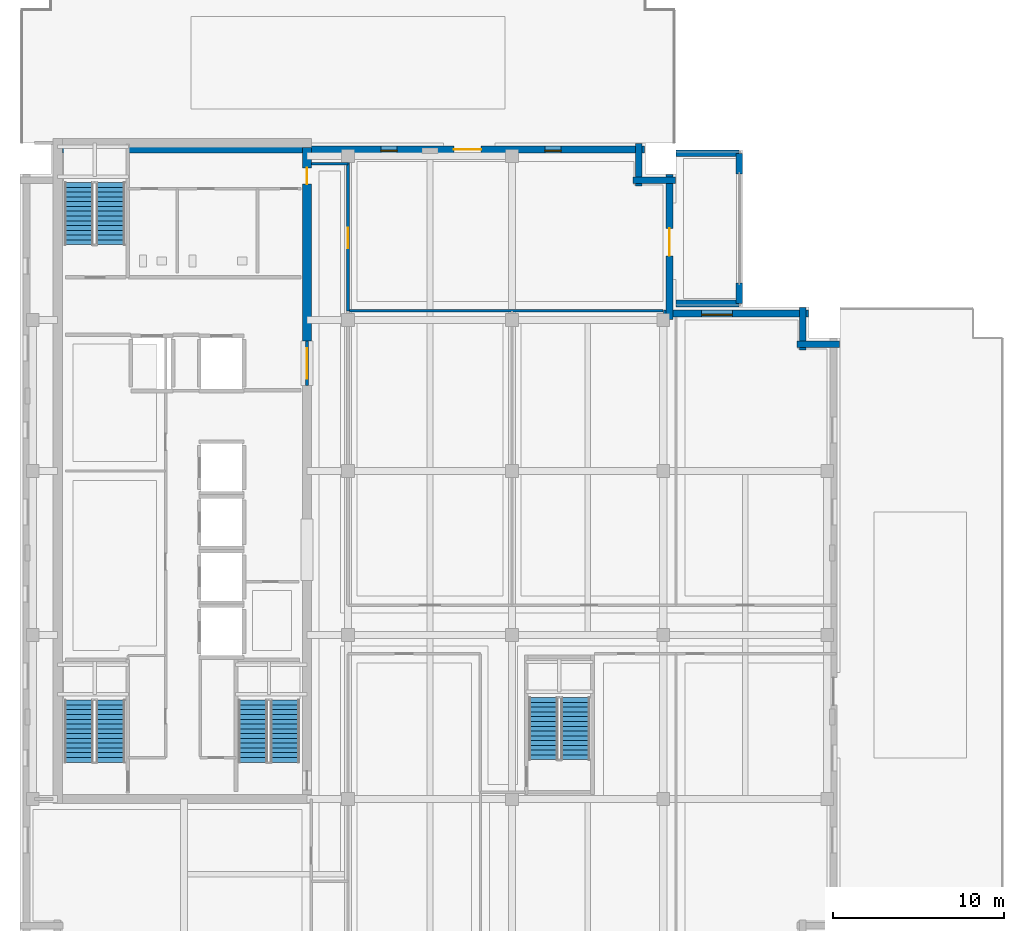
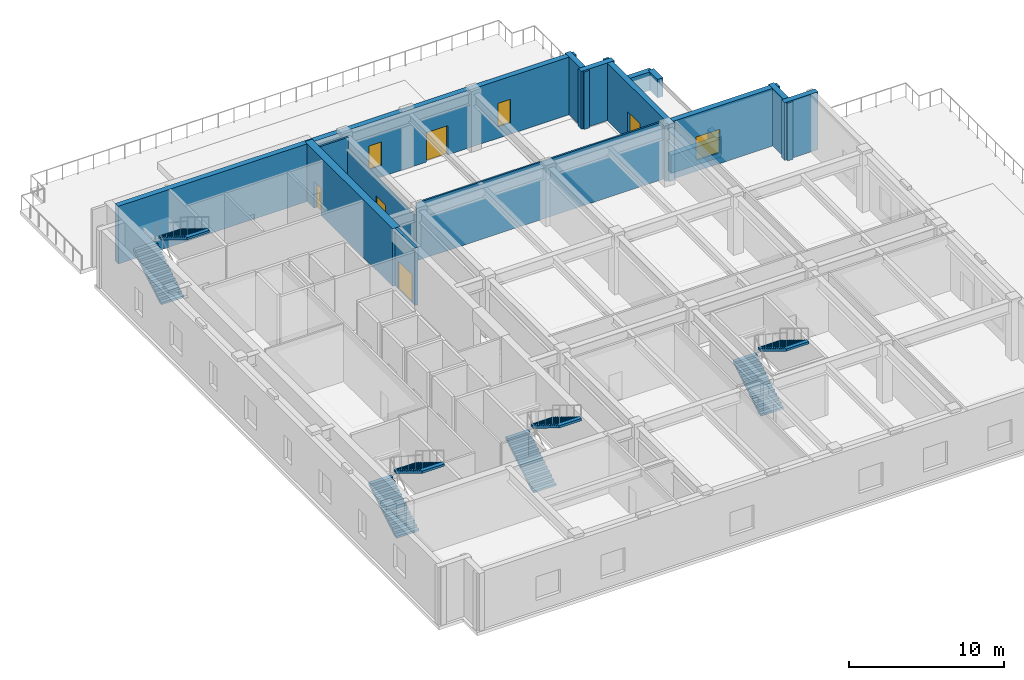
# One storey, part 6 of 11: 16 walls, 8 stair flights, 5 doors, 3 windows, 8 openings, 4 elements without a shape of their own.
"""IFC4 building model written with IfcOpenShell, lengths in metres."""

import ifcopenshell
import ifcopenshell.guid

model = None  # the IFC model being written
_history = None  # IfcOwnerHistory: only IFC2X3 demands one
_inside = {}  # id of a spatial element -> (the spatial element, [elements in it])
_under = {}  # id of a project, library or spatial element -> (it, [spatial elements below it])
_declared = {}  # id of a project -> (the project, [libraries it declares])
_typed = {}  # id of a type object -> (the type object, [elements of that type])
_made_of = {}  # id of a material, layer set ... -> (it, [elements and type objects made of it])


def new_model(schema):
    """Start an empty IFC model of exactly this schema.

    Asked for "IFC4X3", IfcOpenShell would pick the latest addendum, in which some entities
    have other attributes; the version numbers below select the first issue.
    IFC2X3 requires an IfcOwnerHistory on every rooted entity: one is made here for all.
    """
    global model, _history
    if schema == "IFC4X3":
        model = ifcopenshell.file(schema_version=(4, 3, 0, 0))
    else:
        model = ifcopenshell.file(schema=schema)
    _inside.clear()
    _under.clear()
    _declared.clear()
    _typed.clear()
    _made_of.clear()
    _history = None
    if model.schema == "IFC2X3":
        org = make("IfcOrganization", Name="unknown")
        user = make(
            "IfcPersonAndOrganization",
            ThePerson=make("IfcPerson", FamilyName="unknown"),
            TheOrganization=org,
        )
        app = make(
            "IfcApplication",
            ApplicationDeveloper=org,
            Version="unknown",
            ApplicationFullName="unknown",
            ApplicationIdentifier="unknown",
        )
        _history = make(
            "IfcOwnerHistory",
            OwningUser=user,
            OwningApplication=app,
            ChangeAction="ADDED",
            CreationDate=0,
        )
    return model


def make(cls, **values):
    """One entity of the class cls with the attributes given. An attribute that is None is left unset."""
    return model.create_entity(
        cls, **{name: value for name, value in values.items() if value is not None}
    )


def rooted(cls, **values):
    """An entity with a GlobalId (a new one), such as an element, a storey or a relation."""
    return make(cls, GlobalId=ifcopenshell.guid.new(), OwnerHistory=_history, **values)


def si_unit(unit_type, name, prefix=None):
    """IfcSIUnit, for example si_unit("LENGTHUNIT", "METRE", prefix="MILLI")."""
    return make("IfcSIUnit", UnitType=unit_type, Prefix=prefix, Name=name)


def assignment(units):
    """IfcUnitAssignment: the units of a project."""
    return None if units is None else make("IfcUnitAssignment", Units=units)


def point(xyz):
    """IfcCartesianPoint."""
    return None if xyz is None else make("IfcCartesianPoint", Coordinates=xyz)


def direction(xyz):
    """IfcDirection."""
    return None if xyz is None else make("IfcDirection", DirectionRatios=xyz)


def frame(location, z_axis=None, x_axis=None):
    """IfcAxis2Placement3D, a coordinate frame: its origin and axes. An axis left out is left unset."""
    return make(
        "IfcAxis2Placement3D",
        Location=point(location),
        Axis=direction(z_axis),
        RefDirection=direction(x_axis),
    )


def frame_2d(location, x_axis=None):
    """IfcAxis2Placement2D, a coordinate frame in the plane: its origin and x axis."""
    return make(
        "IfcAxis2Placement2D", Location=point(location), RefDirection=direction(x_axis)
    )


def origin():
    """The frame at (0, 0, 0) with its axes left unset."""
    return frame((0.0, 0.0, 0.0))


def place(relative_to, where):
    """IfcLocalPlacement: puts the frame where relative to a parent placement (None: the world)."""
    return make(
        "IfcLocalPlacement", PlacementRelTo=relative_to, RelativePlacement=where
    )


def context(
    kind, dimensions, precision=None, world=None, true_north=None, identifier=None
):
    """IfcGeometricRepresentationContext, for example the 3D "Model" context."""
    return make(
        "IfcGeometricRepresentationContext",
        ContextIdentifier=identifier,
        ContextType=kind,
        CoordinateSpaceDimension=dimensions,
        Precision=precision,
        WorldCoordinateSystem=world,
        TrueNorth=true_north,
    )


def subcontext(parent, identifier, kind, view, scale=None):
    """IfcGeometricRepresentationSubContext, for example "Body" below "Model"."""
    return make(
        "IfcGeometricRepresentationSubContext",
        ContextIdentifier=identifier,
        ContextType=kind,
        ParentContext=parent,
        TargetScale=scale,
        TargetView=view,
    )


def project(units=None, contexts=None):
    """IfcProject with its units and contexts."""
    return rooted(
        "IfcProject",
        Name="project",
        RepresentationContexts=contexts,
        UnitsInContext=assignment(units),
    )


def spatial(cls, under=None, at=None, **own):
    """A site, building, storey or space (cls), placed at a placement, below another one or the project."""
    s = rooted(cls, ObjectPlacement=at, **own)
    if under is not None:
        _under.setdefault(under.id(), (under, []))[1].append(s)
    return s


def polyline(points):
    """IfcPolyline through the points."""
    return make("IfcPolyline", Points=[point(p) for p in points])


def profile(cls, at=None, kind="AREA", **sizes):
    """A parametric profile (cls). Its sizes go by their IFC names, for example OverallWidth=200.0."""
    return make(cls, ProfileType=kind, Position=at, **sizes)


def rectangle(**sizes):
    """IfcRectangleProfileDef."""
    return profile("IfcRectangleProfileDef", **sizes)


def outline(outer, holes=None, kind="AREA"):
    """IfcArbitraryClosedProfileDef: a profile drawn as a closed curve; with holes, ...WithVoids."""
    if holes is None:
        return make("IfcArbitraryClosedProfileDef", ProfileType=kind, OuterCurve=outer)
    return make(
        "IfcArbitraryProfileDefWithVoids",
        ProfileType=kind,
        OuterCurve=outer,
        InnerCurves=holes,
    )


def extrude(swept, where, along, depth):
    """IfcExtrudedAreaSolid: the profile swept, set in the frame where, extruded along a direction by depth."""
    return make(
        "IfcExtrudedAreaSolid",
        SweptArea=swept,
        Position=where,
        ExtrudedDirection=direction(along),
        Depth=depth,
    )


def shape(context_of_items, identifier, shape_type, items):
    """IfcShapeRepresentation: the items that make up one representation, for example the "Body"."""
    return make(
        "IfcShapeRepresentation",
        ContextOfItems=context_of_items,
        RepresentationIdentifier=identifier,
        RepresentationType=shape_type,
        Items=items,
    )


def material(Name=None, Category=None):
    """IfcMaterial."""
    return make("IfcMaterial", Name=Name, Category=Category)


def layer(
    of_material, thickness, ventilated=None, Name=None, Category=None, Priority=None
):
    """IfcMaterialLayer: one layer of a wall or slab, of a material (None: an air gap)."""
    return make(
        "IfcMaterialLayer",
        Material=of_material,
        LayerThickness=thickness,
        IsVentilated=ventilated,
        Name=Name,
        Category=Category,
        Priority=Priority,
    )


def layer_set(layers, Name=None):
    """IfcMaterialLayerSet."""
    return make("IfcMaterialLayerSet", MaterialLayers=layers, LayerSetName=Name)


def made_of(thing, what):
    """Note that an element or type object is made of a material, layer set ...; save() writes the relation."""
    if what is not None:
        _made_of.setdefault(what.id(), (what, []))[1].append(thing)
    return thing


def type_object(cls, material=None, **own):
    """A type object (cls), such as IfcWallType, which elements share."""
    return made_of(rooted(cls, **own), material)


def element(
    cls,
    number,
    at=None,
    inside=None,
    cuts=None,
    type_object=None,
    material=None,
    context=None,
    identifier="Body",
    shape_type=None,
    held_by="IfcProductDefinitionShape",
    body=None,
    shapes=None,
    **own,
):
    """One element of the class cls, such as IfcWall. Its Tag is "e" and its number.

    at: its placement. inside: the storey or other place that contains it. cuts: it is an
    opening in that element (IfcRelVoidsElement). A single representation is given by context,
    identifier, shape_type and body (its items); several are given by shapes. held_by: the class
    of the entity that holds the representations. save() writes the other relations.
    """
    e = rooted(cls, Tag="e%d" % number, ObjectPlacement=at, **own)
    if body is not None:
        shapes = [shape(context, identifier, shape_type, body)]
    if shapes is not None:
        e.Representation = make(held_by, Representations=shapes)
    if inside is not None:
        _inside.setdefault(inside.id(), (inside, []))[1].append(e)
    if cuts is not None:
        rooted(
            "IfcRelVoidsElement", RelatingBuildingElement=cuts, RelatedOpeningElement=e
        )
    if type_object is not None:
        _typed.setdefault(type_object.id(), (type_object, []))[1].append(e)
    return made_of(e, material)


def fill(opening, filler):
    """IfcRelFillsElement: the door or window that sits in an opening."""
    return rooted(
        "IfcRelFillsElement",
        RelatingOpeningElement=opening,
        RelatedBuildingElement=filler,
    )


def aggregate(whole, parts):
    """IfcRelAggregates: a whole, such as a stair, and the parts it consists of."""
    return rooted("IfcRelAggregates", RelatingObject=whole, RelatedObjects=parts)


def save(model, path):
    """Write the relations noted so far, then the file.

    IfcRelAggregates (storeys below a building ...), IfcRelContainedInSpatialStructure (elements
    in a storey), IfcRelDefinesByType, IfcRelAssociatesMaterial and IfcRelDeclares: one each for
    every whole, place, type object, material and project.
    """
    for whole, parts in _under.values():
        aggregate(whole, parts)
    for where, things in _inside.values():
        rooted(
            "IfcRelContainedInSpatialStructure",
            RelatedElements=things,
            RelatingStructure=where,
        )
    for kind, things in _typed.values():
        rooted("IfcRelDefinesByType", RelatedObjects=things, RelatingType=kind)
    for what, things in _made_of.values():
        rooted("IfcRelAssociatesMaterial", RelatedObjects=things, RelatingMaterial=what)
    for by, libraries in _declared.values():
        rooted("IfcRelDeclares", RelatingContext=by, RelatedDefinitions=libraries)
    model.write(path)


model = new_model("IFC4")

# Units and contexts
model_context = context("Model", 3, precision=1e-05, world=origin(), true_north=direction((0.0, 1.0)))
body_context = subcontext(model_context, "Body", "Model", "MODEL_VIEW")
ifc_project = project(units=[si_unit("LENGTHUNIT", "METRE"), si_unit("AREAUNIT", "SQUARE_METRE"), si_unit("VOLUMEUNIT", "CUBIC_METRE"), si_unit("PLANEANGLEUNIT", "RADIAN"), si_unit("MASSUNIT", "GRAM", prefix="KILO")], contexts=[model_context])

# Site, building, storey
site_placement = place(None, origin())
site = spatial("IfcSite", under=ifc_project, at=site_placement, CompositionType="ELEMENT")
building_placement = place(site_placement, origin())
building = spatial("IfcBuilding", under=site, at=building_placement, Name="Norrvale University Quadrangle", CompositionType="ELEMENT")
storey_placement = place(building_placement, frame((0.0, 0.0, 261.0)))
storey = spatial("IfcBuildingStorey", under=building, at=storey_placement, Name="L66", CompositionType="ELEMENT", Elevation=261.0)

# Wall, opening, door
ifc_material_1 = material(Name="Concrete C60/75", Category="concrete")
ifc_layer_1 = layer(ifc_material_1, 0.550048828125, Name="Concrete C60/75")
ifc_layer_set_1 = layer_set([ifc_layer_1], Name="Concrete C60/75")
wall_type_1 = type_object("IfcWallType", Name="Wall Core 550", PredefinedType="SHEAR", material=ifc_layer_set_1)
wall_1_placement = place(storey_placement, frame((16.800048828125, 36.39990234375, 0.0), z_axis=(0.0, 0.0, 1.0), x_axis=(0.0, 1.0, 0.0)))
wall_1 = element("IfcWall", 1, at=wall_1_placement, inside=storey, type_object=wall_type_1, Name="Tower Core Shear Wall L66-E3", PredefinedType="SHEAR", context=body_context, shape_type="SweptSolid", body=[
    extrude(rectangle(XDim=11.3251953125, YDim=0.550048828125, at=frame_2d((5.66259765625, 0.0))), origin(), (0.0, 0.0, 1.0), 4.5400390625),
])
opening_1_placement = place(wall_1_placement, frame((9.199951171875, 0.0, 0.0)))
opening_1 = element("IfcOpeningElement", 2, at=opening_1_placement, cuts=wall_1, Name="Opening D07", PredefinedType="OPENING", context=body_context, shape_type="SweptSolid", body=[
    extrude(rectangle(XDim=0.949951171875, YDim=2.14990234375, at=frame_2d((0.47509765625, 1.074951171875))), frame((0.0, 0.287109375, 0.0), z_axis=(0.0, -1.0, 0.0), x_axis=(1.0, 0.0, 0.0)), (0.0, 0.0, 1.0), 0.573974609375),
])
ifc_material_2 = material(Name="Solid-Core Maple Door", Category="wood")
door_type_1 = type_object("IfcDoorType", Name="Door Office 950x2150", OperationType="NOTDEFINED", PredefinedType="DOOR", material=ifc_material_2)
door_1_placement = place(opening_1_placement, origin())
door_1 = element("IfcDoor", 3, at=door_1_placement, inside=storey, type_object=door_type_1, Name="Door Office 950x2150 DR-L66-NECORR", OperationType="SINGLE_SWING_LEFT", OverallHeight=2.14990234375, OverallWidth=0.949951171875, PredefinedType="DOOR", context=body_context, shape_type="SweptSolid", body=[
    extrude(rectangle(XDim=0.949951171875, YDim=2.14990234375, at=frame_2d((0.47509765625, 1.074951171875))), frame((0.0, 0.02490234375, 0.0), z_axis=(0.0, -1.0, 0.0), x_axis=(1.0, 0.0, 0.0)), (0.0, 0.0, 1.0), 0.050048828125),
])
fill(opening_1, door_1)

# Walls
ifc_material_3 = material(Name="Standard Academic Gypsum Partition")
ifc_layer_2 = layer(ifc_material_3, 0.125, Name="Standard Academic Gypsum Partition")
ifc_layer_set_2 = layer_set([ifc_layer_2], Name="Standard Academic Gypsum Partition")
wall_type_2 = type_object("IfcWallType", Name="Wall Gypsum Academic 125", PredefinedType="PARTITIONING", material=ifc_layer_set_2)
wall_2_placement = place(storey_placement, frame((19.280029296875, 38.179931640625, 0.0), z_axis=(0.0, 0.0, 1.0), x_axis=(1.0, 0.0, 0.0)))
element("IfcWall", 4, at=wall_2_placement, inside=storey, type_object=wall_type_2, Name="Interior Partition WL-L66-ME-N", PredefinedType="PARTITIONING", context=body_context, shape_type="SweptSolid", body=[
    extrude(rectangle(XDim=18.369873046875, YDim=0.125, at=frame_2d((9.18505859375, 0.0))), origin(), (0.0, 0.0, 1.0), 4.5400390625),
])
ifc_material_4 = material(Name="Fire-Rated Gypsum Stud Partition")
ifc_layer_3 = layer(ifc_material_4, 0.14990234375, Name="Fire-Rated Gypsum Stud Partition")
ifc_layer_set_3 = layer_set([ifc_layer_3], Name="Fire-Rated Gypsum Stud Partition")
wall_type_3 = type_object("IfcWallType", Name="Wall Gypsum Corridor 150", PredefinedType="PARTITIONING", material=ifc_layer_set_3)
wall_3_placement = place(storey_placement, frame((17.050048828125, 46.800048828125, 0.0), z_axis=(0.0, 0.0, 1.0), x_axis=(1.0, 0.0, 0.0)))
element("IfcWall", 5, at=wall_3_placement, inside=storey, type_object=wall_type_3, Name="Interior Partition WL-L66-CSP-N", PredefinedType="PARTITIONING", context=body_context, shape_type="SweptSolid", body=[
    extrude(rectangle(XDim=2.14990234375, YDim=0.14990234375, at=frame_2d((1.074951171875, 0.0))), origin(), (0.0, 0.0, 1.0), 4.5400390625),
])

# Wall, opening, door
wall_4_placement = place(storey_placement, frame((19.199951171875, 38.179931640625, 0.0), z_axis=(0.0, 0.0, 1.0), x_axis=(0.0, 1.0, 0.0)))
wall_4 = element("IfcWall", 6, at=wall_4_placement, inside=storey, type_object=wall_type_3, Name="Interior Partition WL-L66-NECW", PredefinedType="PARTITIONING", context=body_context, shape_type="SweptSolid", body=[
    extrude(rectangle(XDim=9.27001953125, YDim=0.14990234375, at=frame_2d((4.635009765625, 0.0))), origin(), (0.0, 0.0, 1.0), 3.6279296875),
])
opening_2_placement = place(wall_4_placement, frame((3.64990234375, 0.0, 0.0)))
opening_2 = element("IfcOpeningElement", 7, at=opening_2_placement, cuts=wall_4, Name="Opening D05", PredefinedType="OPENING", context=body_context, shape_type="SweptSolid", body=[
    extrude(rectangle(XDim=1.199951171875, YDim=2.199951171875, at=frame_2d((0.60009765625, 1.10009765625))), frame((0.0, 0.0869140625, 0.0), z_axis=(0.0, -1.0, 0.0), x_axis=(1.0, 0.0, 0.0)), (0.0, 0.0, 1.0), 0.173828125),
])
ifc_material_5 = material(Name="Acoustic Oak Classroom Door", Category="wood")
door_type_2 = type_object("IfcDoorType", Name="Door Classroom 1200x2200", OperationType="NOTDEFINED", PredefinedType="DOOR", material=ifc_material_5)
door_2_placement = place(opening_2_placement, origin())
door_2 = element("IfcDoor", 8, at=door_2_placement, inside=storey, type_object=door_type_2, Name="Door Classroom 1200x2200 DR-L66-NE01", OperationType="SINGLE_SWING_RIGHT", OverallHeight=2.199951171875, OverallWidth=1.199951171875, PredefinedType="DOOR", context=body_context, shape_type="SweptSolid", body=[
    extrude(rectangle(XDim=1.199951171875, YDim=2.199951171875, at=frame_2d((0.60009765625, 1.10009765625))), frame((0.0, 0.02490234375, 0.0), z_axis=(0.0, -1.0, 0.0), x_axis=(1.0, 0.0, 0.0)), (0.0, 0.0, 1.0), 0.050048828125),
])
fill(opening_2, door_2)

ifc_material_6 = material(Name="Concrete Blockwork 20 MPa Rated Wall", Category="masonry")
ifc_layer_4 = layer(ifc_material_6, 0.199951171875, Name="Concrete Blockwork 20 MPa Rated Wall")
ifc_layer_set_4 = layer_set([ifc_layer_4], Name="Concrete Blockwork 20 MPa Rated Wall")
wall_type_4 = type_object("IfcWallType", Name="Wall Lobby 200", PredefinedType="SOLIDWALL", material=ifc_layer_set_4)
wall_5_placement = place(storey_placement, frame((16.800048828125, 33.800048828125, 0.0), z_axis=(0.0, 0.0, 1.0), x_axis=(0.0, 1.0, 0.0)))
wall_5 = element("IfcWall", 9, at=wall_5_placement, inside=storey, type_object=wall_type_4, Name="Interior Partition WL-L66-FFP", PredefinedType="SOLIDWALL", context=body_context, shape_type="SweptSolid", body=[
    extrude(rectangle(XDim=2.599853515625, YDim=0.199951171875, at=frame_2d((1.2998046875, 0.0))), origin(), (0.0, 0.0, 1.0), 4.5400390625),
])
opening_3_placement = place(wall_5_placement, frame((0.39990234375, 0.0, 0.0)))
opening_3 = element("IfcOpeningElement", 10, at=opening_3_placement, cuts=wall_5, Name="Opening D03", PredefinedType="OPENING", context=body_context, shape_type="SweptSolid", body=[
    extrude(rectangle(XDim=1.800048828125, YDim=2.199951171875, at=frame_2d((0.89990234375, 1.10009765625))), frame((0.0, 0.112060546875, 0.0), z_axis=(0.0, -1.0, 0.0), x_axis=(1.0, 0.0, 0.0)), (0.0, 0.0, 1.0), 0.223876953125),
])
ifc_material_7 = material(Name="Hollow Steel 350W Fire Door", Category="steel")
door_type_3 = type_object("IfcDoorType", Name="Door Fire Lobby 1800x2200", OperationType="DOUBLE_DOOR_SINGLE_SWING", PredefinedType="DOOR", material=ifc_material_7)
door_3_placement = place(opening_3_placement, origin())
door_3 = element("IfcDoor", 11, at=door_3_placement, inside=storey, type_object=door_type_3, Name="Door Fire Lobby 1800x2200 DR-L66-FFP", OperationType="DOUBLE_DOOR_SINGLE_SWING", OverallHeight=2.199951171875, OverallWidth=1.800048828125, PredefinedType="DOOR", context=body_context, shape_type="SweptSolid", body=[
    extrude(rectangle(XDim=1.800048828125, YDim=2.199951171875, at=frame_2d((0.89990234375, 1.10009765625))), frame((0.0, 0.02490234375, 0.0), z_axis=(0.0, -1.0, 0.0), x_axis=(1.0, 0.0, 0.0)), (0.0, 0.0, 1.0), 0.050048828125),
])
fill(opening_3, door_3)

# Walls
ifc_material_8 = material(Name="Concrete C50/60", Category="concrete")
ifc_layer_5 = layer(ifc_material_8, 0.39990234375, Name="Concrete C50/60")
ifc_layer_set_5 = layer_set([ifc_layer_5], Name="Concrete C50/60")
wall_type_5 = type_object("IfcWallType", Name="Wall Pool Basin 400", PredefinedType="SOLIDWALL", material=ifc_layer_set_5)
for number, where, z_axis, x_axis, name in (
    (12, (38.39990234375, 38.60009765625, 0.0), (0.0, 0.0, 1.0), (1.0, 0.0, 0.0), "Sky Pool Basin Wall S"),
    (13, (38.39990234375, 47.39990234375, 0.0), (0.0, 0.0, 1.0), (1.0, 0.0, 0.0), "Sky Pool Basin Wall N"),
):
    element("IfcWall", number, at=place(storey_placement, frame(where, z_axis=z_axis, x_axis=x_axis)), inside=storey, type_object=wall_type_5, Name=name, PredefinedType="SOLIDWALL", context=body_context, shape_type="SweptSolid", body=[
        extrude(rectangle(XDim=3.7001953125, YDim=0.39990234375, at=frame_2d((1.85009765625, 0.0))), origin(), (0.0, 0.0, 1.0), 1.449951171875),
    ])
for number, where, z_axis, x_axis, name in (
    (14, (42.10009765625, 38.60009765625, 0.0), (0.0, 0.0, 1.0), (0.0, 1.0, 0.0), "Sky Pool Basin Wall ES"),
    (15, (42.10009765625, 46.199951171875, 0.0), (0.0, 0.0, 1.0), (0.0, 1.0, 0.0), "Sky Pool Basin Wall EN"),
):
    element("IfcWall", number, at=place(storey_placement, frame(where, z_axis=z_axis, x_axis=x_axis)), inside=storey, type_object=wall_type_5, Name=name, PredefinedType="SOLIDWALL", context=body_context, shape_type="SweptSolid", body=[
        extrude(rectangle(XDim=1.199951171875, YDim=0.39990234375, at=frame_2d((0.60009765625, 0.0))), origin(), (0.0, 0.0, 1.0), 1.449951171875),
    ])
ifc_material_9 = material(Name="Red Manganese Brick Masonry", Category="masonry")
ifc_layer_6 = layer(ifc_material_9, 0.39990234375, Name="Red Manganese Brick Masonry")
ifc_layer_set_6 = layer_set([ifc_layer_6], Name="Red Manganese Brick Masonry")
wall_type_6 = type_object("IfcWallType", Name="Wall Red Brick 400", PredefinedType="SOLIDWALL", material=ifc_layer_set_6)
wall_6_placement = place(storey_placement, frame((47.9599609375, 36.219970703125, 0.0), z_axis=(0.0, 0.0, 1.0), x_axis=(-1.0, 0.0, 0.0)))
element("IfcWall", 16, at=wall_6_placement, inside=storey, type_object=wall_type_6, Name="Exterior Brick Facade Wall L66-05.1", PredefinedType="SOLIDWALL", context=body_context, shape_type="SweptSolid", body=[
    extrude(rectangle(XDim=2.47998046875, YDim=0.39990234375, at=frame_2d((1.239990234375, 0.0))), origin(), (0.0, 0.0, 1.0), 4.5400390625),
])
wall_7_placement = place(storey_placement, frame((45.820068359375, 35.8798828125, 0.0), z_axis=(0.0, 0.0, 1.0), x_axis=(0.0, 1.0, 0.0)))
element("IfcWall", 17, at=wall_7_placement, inside=storey, type_object=wall_type_6, Name="Exterior Brick Facade Wall L66-06.1", PredefinedType="SOLIDWALL", context=body_context, shape_type="SweptSolid", body=[
    extrude(rectangle(XDim=2.480224609375, YDim=0.39990234375, at=frame_2d((1.240234375, 0.0))), origin(), (0.0, 0.0, 1.0), 4.5400390625),
])

# Wall, opening, window
wall_8_placement = place(storey_placement, frame((46.159912109375, 38.02001953125, 0.0), z_axis=(0.0, 0.0, 1.0), x_axis=(-1.0, 0.0, 0.0)))
wall_8 = element("IfcWall", 18, at=wall_8_placement, inside=storey, type_object=wall_type_6, Name="Exterior Brick Facade Wall L66-07.1", PredefinedType="SOLIDWALL", context=body_context, shape_type="SweptSolid", body=[
    extrude(rectangle(XDim=8.47998046875, YDim=0.39990234375, at=frame_2d((4.239990234375, 0.0))), origin(), (0.0, 0.0, 1.0), 4.5400390625),
])
opening_4_placement = place(wall_8_placement, frame((4.4599609375, 0.0, 0.85009765625)))
opening_4 = element("IfcOpeningElement", 19, at=opening_4_placement, cuts=wall_8, Name="Opening W01", PredefinedType="OPENING", context=body_context, shape_type="SweptSolid", body=[
    extrude(rectangle(XDim=1.800048828125, YDim=1.85009765625, at=frame_2d((0.89990234375, 0.925048828125))), frame((0.0, 0.2119140625, 0.0), z_axis=(0.0, -1.0, 0.0), x_axis=(1.0, 0.0, 0.0)), (0.0, 0.0, 1.0), 0.423828125),
])
ifc_material_10 = material(Name="Triple Low-E Argon Glazing", Category="glass")
window_type_1 = type_object("IfcWindowType", Name="Window Academic 1800x2300", PartitioningType="DOUBLE_PANEL_VERTICAL", PredefinedType="WINDOW", material=ifc_material_10)
window_1_placement = place(opening_4_placement, origin())
window_1 = element("IfcWindow", 20, at=window_1_placement, inside=storey, type_object=window_type_1, Name="Window Academic 1800x2300 WIN-L66-E07-1-01", OverallHeight=1.85009765625, OverallWidth=1.800048828125, PartitioningType="DOUBLE_PANEL_VERTICAL", PredefinedType="WINDOW", context=body_context, shape_type="SweptSolid", body=[
    extrude(rectangle(XDim=1.800048828125, YDim=1.85009765625, at=frame_2d((0.89990234375, 0.925048828125))), frame((0.0, 0.110107421875, 0.0), z_axis=(0.0, -1.0, 0.0), x_axis=(1.0, 0.0, 0.0)), (0.0, 0.0, 1.0), 0.06005859375),
])
fill(opening_4, window_1)

# Wall, opening, door
wall_9_placement = place(storey_placement, frame((38.02001953125, 37.679931640625, 0.0), z_axis=(0.0, 0.0, 1.0), x_axis=(0.0, 1.0, 0.0)))
wall_9 = element("IfcWall", 21, at=wall_9_placement, inside=storey, type_object=wall_type_6, Name="Exterior Brick Facade Wall L66-08.1", PredefinedType="SOLIDWALL", context=body_context, shape_type="SweptSolid", body=[
    extrude(rectangle(XDim=8.47998046875, YDim=0.39990234375, at=frame_2d((4.239990234375, 0.0))), origin(), (0.0, 0.0, 1.0), 4.5400390625),
])
opening_5_placement = place(wall_9_placement, frame((3.719970703125, 0.0, 0.0)))
opening_5 = element("IfcOpeningElement", 22, at=opening_5_placement, cuts=wall_9, Name="Opening D09", PredefinedType="OPENING", context=body_context, shape_type="SweptSolid", body=[
    extrude(rectangle(XDim=1.60009765625, YDim=2.300048828125, at=frame_2d((0.800048828125, 1.14990234375))), frame((0.0, 0.2119140625, 0.0), z_axis=(0.0, -1.0, 0.0), x_axis=(1.0, 0.0, 0.0)), (0.0, 0.0, 1.0), 0.423828125),
])
ifc_material_11 = material(Name="Thermally Broken Glazed Terrace Door")
door_type_4 = type_object("IfcDoorType", Name="Door Terrace 1600x2300", OperationType="DOUBLE_SWING_LEFT", PredefinedType="DOOR", material=ifc_material_11)
door_4_placement = place(opening_5_placement, frame((1.60009765625, 0.0, 0.0), z_axis=(0.0, 0.0, 1.0), x_axis=(-1.0, 0.0, 0.0)))
door_4 = element("IfcDoor", 23, at=door_4_placement, inside=storey, type_object=door_type_4, Name="Door Terrace 1600x2300 DR-L66-POOL", OperationType="DOUBLE_SWING_LEFT", OverallHeight=2.300048828125, OverallWidth=1.60009765625, PredefinedType="DOOR", context=body_context, shape_type="SweptSolid", body=[
    extrude(rectangle(XDim=1.60009765625, YDim=2.300048828125, at=frame_2d((0.800048828125, 1.14990234375))), frame((0.0, 0.02490234375, 0.0), z_axis=(0.0, -1.0, 0.0), x_axis=(1.0, 0.0, 0.0)), (0.0, 0.0, 1.0), 0.050048828125),
])
fill(opening_5, door_4)

# Walls
wall_10_placement = place(storey_placement, frame((38.360107421875, 45.820068359375, 0.0), z_axis=(0.0, 0.0, 1.0), x_axis=(-1.0, 0.0, 0.0)))
element("IfcWall", 24, at=wall_10_placement, inside=storey, type_object=wall_type_6, Name="Exterior Brick Facade Wall L66-09.1", PredefinedType="SOLIDWALL", context=body_context, shape_type="SweptSolid", body=[
    extrude(rectangle(XDim=2.480224609375, YDim=0.39990234375, at=frame_2d((1.240234375, 0.0))), origin(), (0.0, 0.0, 1.0), 4.5400390625),
])
wall_11_placement = place(storey_placement, frame((36.219970703125, 45.47998046875, 0.0), z_axis=(0.0, 0.0, 1.0), x_axis=(0.0, 1.0, 0.0)))
element("IfcWall", 25, at=wall_11_placement, inside=storey, type_object=wall_type_6, Name="Exterior Brick Facade Wall L66-10.1", PredefinedType="SOLIDWALL", context=body_context, shape_type="SweptSolid", body=[
    extrude(rectangle(XDim=2.47998046875, YDim=0.39990234375, at=frame_2d((1.239990234375, 0.0))), origin(), (0.0, 0.0, 1.0), 4.5400390625),
])

# Wall, openings, door, windows
wall_12_placement = place(storey_placement, frame((36.56005859375, 47.6201171875, 0.0), z_axis=(0.0, 0.0, 1.0), x_axis=(-1.0, 0.0, 0.0)))
wall_12 = element("IfcWall", 26, at=wall_12_placement, inside=storey, type_object=wall_type_6, Name="Exterior Brick Facade Wall L66-11.1", PredefinedType="SOLIDWALL", context=body_context, shape_type="SweptSolid", body=[
    extrude(rectangle(XDim=34.0849609375, YDim=0.39990234375, at=frame_2d((17.04248046875, 0.0))), origin(), (0.0, 0.0, 1.0), 4.5400390625),
])
opening_6_placement = place(wall_12_placement, frame((9.56005859375, 0.0, 0.0)))
opening_6 = element("IfcOpeningElement", 27, at=opening_6_placement, cuts=wall_12, Name="Opening D09", PredefinedType="OPENING", context=body_context, shape_type="SweptSolid", body=[
    extrude(rectangle(XDim=1.60009765625, YDim=2.300048828125, at=frame_2d((0.800048828125, 1.14990234375))), frame((0.0, 0.2119140625, 0.0), z_axis=(0.0, -1.0, 0.0), x_axis=(1.0, 0.0, 0.0)), (0.0, 0.0, 1.0), 0.423828125),
])
opening_7_placement = place(wall_12_placement, frame((4.885009765625, 0.0, 0.89990234375)))
opening_7 = element("IfcOpeningElement", 28, at=opening_7_placement, cuts=wall_12, Name="Opening W04", PredefinedType="OPENING", context=body_context, shape_type="SweptSolid", body=[
    extrude(rectangle(XDim=0.949951171875, YDim=1.85009765625, at=frame_2d((0.47509765625, 0.925048828125))), frame((0.0, 0.2119140625, 0.0), z_axis=(0.0, -1.0, 0.0), x_axis=(1.0, 0.0, 0.0)), (0.0, 0.0, 1.0), 0.423828125),
])
opening_8_placement = place(wall_12_placement, frame((14.485107421875, 0.0, 0.89990234375)))
opening_8 = element("IfcOpeningElement", 29, at=opening_8_placement, cuts=wall_12, Name="Opening W04", PredefinedType="OPENING", context=body_context, shape_type="SweptSolid", body=[
    extrude(rectangle(XDim=0.949951171875, YDim=1.85009765625, at=frame_2d((0.47509765625, 0.925048828125))), frame((0.0, 0.2119140625, 0.0), z_axis=(0.0, -1.0, 0.0), x_axis=(1.0, 0.0, 0.0)), (0.0, 0.0, 1.0), 0.423828125),
])
door_5_placement = place(opening_6_placement, frame((1.60009765625, 0.0, 0.0), z_axis=(0.0, 0.0, 1.0), x_axis=(-1.0, 0.0, 0.0)))
door_5 = element("IfcDoor", 30, at=door_5_placement, inside=storey, type_object=door_type_4, Name="Door Terrace 1600x2300 DR-L66-TERR-N", OperationType="DOUBLE_SWING_LEFT", OverallHeight=2.300048828125, OverallWidth=1.60009765625, PredefinedType="DOOR", context=body_context, shape_type="SweptSolid", body=[
    extrude(rectangle(XDim=1.60009765625, YDim=2.300048828125, at=frame_2d((0.800048828125, 1.14990234375))), frame((0.0, 0.02490234375, 0.0), z_axis=(0.0, -1.0, 0.0), x_axis=(1.0, 0.0, 0.0)), (0.0, 0.0, 1.0), 0.050048828125),
])
fill(opening_6, door_5)
window_type_2 = type_object("IfcWindowType", Name="Window Narrow Pier 950x2300", PartitioningType="SINGLE_PANEL", PredefinedType="WINDOW", material=ifc_material_10)
window_2_placement = place(opening_7_placement, origin())
window_2 = element("IfcWindow", 31, at=window_2_placement, inside=storey, type_object=window_type_2, Name="Window Narrow Pier 950x2300 WIN-L66-E11-1-01", OverallHeight=1.85009765625, OverallWidth=0.949951171875, PartitioningType="SINGLE_PANEL", PredefinedType="WINDOW", context=body_context, shape_type="SweptSolid", body=[
    extrude(rectangle(XDim=0.949951171875, YDim=1.85009765625, at=frame_2d((0.47509765625, 0.925048828125))), frame((0.0, 0.110107421875, 0.0), z_axis=(0.0, -1.0, 0.0), x_axis=(1.0, 0.0, 0.0)), (0.0, 0.0, 1.0), 0.06005859375),
])
fill(opening_7, window_2)
window_3_placement = place(opening_8_placement, origin())
window_3 = element("IfcWindow", 32, at=window_3_placement, inside=storey, type_object=window_type_2, Name="Window Narrow Pier 950x2300 WIN-L66-E11-1-02", OverallHeight=1.85009765625, OverallWidth=0.949951171875, PartitioningType="SINGLE_PANEL", PredefinedType="WINDOW", context=body_context, shape_type="SweptSolid", body=[
    extrude(rectangle(XDim=0.949951171875, YDim=1.85009765625, at=frame_2d((0.47509765625, 0.925048828125))), frame((0.0, 0.110107421875, 0.0), z_axis=(0.0, -1.0, 0.0), x_axis=(1.0, 0.0, 0.0)), (0.0, 0.0, 1.0), 0.06005859375),
])
fill(opening_8, window_3)

# Stair, stair flights
ifc_material_12 = material(Name="Concrete C40/50", Category="concrete")
stair_type = type_object("IfcStairType", Name="Stair Tower Pool 4800", PredefinedType="TWO_STRAIGHT_RUN_STAIR", material=ifc_material_12)
stair_1_placement = place(storey_placement, origin())
stair_1 = element("IfcStair", 33, at=stair_1_placement, inside=storey, type_object=stair_type, Name="Exit Stair ST-01 L66", PredefinedType="TWO_STRAIGHT_RUN_STAIR")
stair_flight_type = type_object("IfcStairFlightType", Name="Flight Typ 1500", PredefinedType="STRAIGHT", material=ifc_material_12)
stair_flight_1_placement = place(storey_placement, frame((3.429931640625, 11.75, 0.0), z_axis=(0.0, 0.0, 1.0), x_axis=(0.0, 1.0, 0.0)))
stair_flight_1 = element("IfcStairFlight", 34, at=stair_flight_1_placement, type_object=stair_flight_type, Name="Exit Stair ST-01 L66 Lower Flight", NumberOfRisers=14, NumberOfTreads=13, PredefinedType="STRAIGHT", RiserHeight=0.171429, TreadLength=0.28, context=body_context, shape_type="SweptSolid", body=[
    extrude(outline(polyline([(0.0, 0.0), (0.0, 0.17138671875), (0.280029296875, 0.17138671875), (0.280029296875, 0.3427734375), (0.56005859375, 0.3427734375), (0.56005859375, 0.514404296875), (0.840087890625, 0.514404296875), (0.840087890625, 0.685791015625), (1.1201171875, 0.685791015625), (1.1201171875, 0.857177734375), (1.39990234375, 0.857177734375), (1.39990234375, 1.028564453125), (1.679931640625, 1.028564453125), (1.679931640625, 1.199951171875), (1.9599609375, 1.199951171875), (1.9599609375, 1.371337890625), (2.239990234375, 1.371337890625), (2.239990234375, 1.54296875), (2.52001953125, 1.54296875), (2.52001953125, 1.71435546875), (2.800048828125, 1.71435546875), (2.800048828125, 1.8857421875), (3.080078125, 1.8857421875), (3.080078125, 2.05712890625), (3.360107421875, 2.05712890625), (3.360107421875, 2.228515625), (3.639892578125, 2.228515625), (3.639892578125, 2.39990234375), (3.639892578125, 2.052734375), (0.287109375, 0.0), (0.0, 0.0)])), frame((0.0, 0.83984375, 0.0), z_axis=(0.0, -1.0, 0.0), x_axis=(1.0, 0.0, 0.0)), (0.0, 0.0, 1.0), 1.679931640625),
])
stair_flight_2_placement = place(storey_placement, frame((5.320068359375, 15.389892578125, 2.39990234375), z_axis=(0.0, 0.0, 1.0), x_axis=(0.0, -1.0, 0.0)))
stair_flight_2 = element("IfcStairFlight", 35, at=stair_flight_2_placement, type_object=stair_flight_type, Name="Exit Stair ST-01 L66 Upper Flight", NumberOfRisers=14, NumberOfTreads=13, PredefinedType="STRAIGHT", RiserHeight=0.171429, TreadLength=0.28, context=body_context, shape_type="SweptSolid", body=[
    extrude(outline(polyline([(0.0, 0.0), (0.0, 0.17138671875), (0.280029296875, 0.17138671875), (0.280029296875, 0.3427734375), (0.56005859375, 0.3427734375), (0.56005859375, 0.514404296875), (0.840087890625, 0.514404296875), (0.840087890625, 0.685791015625), (1.1201171875, 0.685791015625), (1.1201171875, 0.857177734375), (1.39990234375, 0.857177734375), (1.39990234375, 1.028564453125), (1.679931640625, 1.028564453125), (1.679931640625, 1.199951171875), (1.9599609375, 1.199951171875), (1.9599609375, 1.371337890625), (2.239990234375, 1.371337890625), (2.239990234375, 1.54296875), (2.52001953125, 1.54296875), (2.52001953125, 1.71435546875), (2.800048828125, 1.71435546875), (2.800048828125, 1.8857421875), (3.080078125, 1.8857421875), (3.080078125, 2.05712890625), (3.360107421875, 2.05712890625), (3.360107421875, 2.228515625), (3.639892578125, 2.228515625), (3.639892578125, 2.39990234375), (3.639892578125, 2.052734375), (0.287109375, 0.0), (0.0, 0.0)])), frame((0.0, 0.83984375, 0.0), z_axis=(0.0, -1.0, 0.0), x_axis=(1.0, 0.0, 0.0)), (0.0, 0.0, 1.0), 1.679931640625),
])
aggregate(stair_1, [stair_flight_1, stair_flight_2])

stair_2_placement = place(storey_placement, origin())
stair_2 = element("IfcStair", 36, at=stair_2_placement, inside=storey, type_object=stair_type, Name="Exit Stair ST-02 L66", PredefinedType="TWO_STRAIGHT_RUN_STAIR")
stair_flight_3_placement = place(storey_placement, frame((3.429931640625, 42.050048828125, 0.0), z_axis=(0.0, 0.0, 1.0), x_axis=(0.0, 1.0, 0.0)))
stair_flight_3 = element("IfcStairFlight", 37, at=stair_flight_3_placement, type_object=stair_flight_type, Name="Exit Stair ST-02 L66 Lower Flight", NumberOfRisers=14, NumberOfTreads=13, PredefinedType="STRAIGHT", RiserHeight=0.171429, TreadLength=0.28, context=body_context, shape_type="SweptSolid", body=[
    extrude(outline(polyline([(0.0, 0.0), (0.0, 0.17138671875), (0.280029296875, 0.17138671875), (0.280029296875, 0.3427734375), (0.56005859375, 0.3427734375), (0.56005859375, 0.514404296875), (0.840087890625, 0.514404296875), (0.840087890625, 0.685791015625), (1.1201171875, 0.685791015625), (1.1201171875, 0.857177734375), (1.39990234375, 0.857177734375), (1.39990234375, 1.028564453125), (1.679931640625, 1.028564453125), (1.679931640625, 1.199951171875), (1.9599609375, 1.199951171875), (1.9599609375, 1.371337890625), (2.239990234375, 1.371337890625), (2.239990234375, 1.54296875), (2.52001953125, 1.54296875), (2.52001953125, 1.71435546875), (2.800048828125, 1.71435546875), (2.800048828125, 1.8857421875), (3.080078125, 1.8857421875), (3.080078125, 2.05712890625), (3.360107421875, 2.05712890625), (3.360107421875, 2.228515625), (3.639892578125, 2.228515625), (3.639892578125, 2.39990234375), (3.639892578125, 2.052734375), (0.287109375, 0.0), (0.0, 0.0)])), frame((0.0, 0.83984375, 0.0), z_axis=(0.0, -1.0, 0.0), x_axis=(1.0, 0.0, 0.0)), (0.0, 0.0, 1.0), 1.679931640625),
])
stair_flight_4_placement = place(storey_placement, frame((5.320068359375, 45.68994140625, 2.39990234375), z_axis=(0.0, 0.0, 1.0), x_axis=(0.0, -1.0, 0.0)))
stair_flight_4 = element("IfcStairFlight", 38, at=stair_flight_4_placement, type_object=stair_flight_type, Name="Exit Stair ST-02 L66 Upper Flight", NumberOfRisers=14, NumberOfTreads=13, PredefinedType="STRAIGHT", RiserHeight=0.171429, TreadLength=0.28, context=body_context, shape_type="SweptSolid", body=[
    extrude(outline(polyline([(0.0, 0.0), (0.0, 0.17138671875), (0.280029296875, 0.17138671875), (0.280029296875, 0.3427734375), (0.56005859375, 0.3427734375), (0.56005859375, 0.514404296875), (0.840087890625, 0.514404296875), (0.840087890625, 0.685791015625), (1.1201171875, 0.685791015625), (1.1201171875, 0.857177734375), (1.39990234375, 0.857177734375), (1.39990234375, 1.028564453125), (1.679931640625, 1.028564453125), (1.679931640625, 1.199951171875), (1.9599609375, 1.199951171875), (1.9599609375, 1.371337890625), (2.239990234375, 1.371337890625), (2.239990234375, 1.54296875), (2.52001953125, 1.54296875), (2.52001953125, 1.71435546875), (2.800048828125, 1.71435546875), (2.800048828125, 1.8857421875), (3.080078125, 1.8857421875), (3.080078125, 2.05712890625), (3.360107421875, 2.05712890625), (3.360107421875, 2.228515625), (3.639892578125, 2.228515625), (3.639892578125, 2.39990234375), (3.639892578125, 2.052734375), (0.287109375, 0.0), (0.0, 0.0)])), frame((0.0, 0.83984375, 0.0), z_axis=(0.0, -1.0, 0.0), x_axis=(1.0, 0.0, 0.0)), (0.0, 0.0, 1.0), 1.679931640625),
])
aggregate(stair_2, [stair_flight_3, stair_flight_4])

stair_3_placement = place(storey_placement, origin())
stair_3 = element("IfcStair", 39, at=stair_3_placement, inside=storey, type_object=stair_type, Name="Exit Stair ST-03 L66", PredefinedType="TWO_STRAIGHT_RUN_STAIR")
stair_flight_5_placement = place(storey_placement, frame((13.6298828125, 11.75, 0.0), z_axis=(0.0, 0.0, 1.0), x_axis=(0.0, 1.0, 0.0)))
stair_flight_5 = element("IfcStairFlight", 40, at=stair_flight_5_placement, type_object=stair_flight_type, Name="Exit Stair ST-03 L66 Lower Flight", NumberOfRisers=14, NumberOfTreads=13, PredefinedType="STRAIGHT", RiserHeight=0.171429, TreadLength=0.28, context=body_context, shape_type="SweptSolid", body=[
    extrude(outline(polyline([(0.0, 0.0), (0.0, 0.17138671875), (0.280029296875, 0.17138671875), (0.280029296875, 0.3427734375), (0.56005859375, 0.3427734375), (0.56005859375, 0.514404296875), (0.840087890625, 0.514404296875), (0.840087890625, 0.685791015625), (1.1201171875, 0.685791015625), (1.1201171875, 0.857177734375), (1.39990234375, 0.857177734375), (1.39990234375, 1.028564453125), (1.679931640625, 1.028564453125), (1.679931640625, 1.199951171875), (1.9599609375, 1.199951171875), (1.9599609375, 1.371337890625), (2.239990234375, 1.371337890625), (2.239990234375, 1.54296875), (2.52001953125, 1.54296875), (2.52001953125, 1.71435546875), (2.800048828125, 1.71435546875), (2.800048828125, 1.8857421875), (3.080078125, 1.8857421875), (3.080078125, 2.05712890625), (3.360107421875, 2.05712890625), (3.360107421875, 2.228515625), (3.639892578125, 2.228515625), (3.639892578125, 2.39990234375), (3.639892578125, 2.052734375), (0.287109375, 0.0), (0.0, 0.0)])), frame((0.0, 0.83984375, 0.0), z_axis=(0.0, -1.0, 0.0), x_axis=(1.0, 0.0, 0.0)), (0.0, 0.0, 1.0), 1.679931640625),
])
stair_flight_6_placement = place(storey_placement, frame((15.52001953125, 15.389892578125, 2.39990234375), z_axis=(0.0, 0.0, 1.0), x_axis=(0.0, -1.0, 0.0)))
stair_flight_6 = element("IfcStairFlight", 41, at=stair_flight_6_placement, type_object=stair_flight_type, Name="Exit Stair ST-03 L66 Upper Flight", NumberOfRisers=14, NumberOfTreads=13, PredefinedType="STRAIGHT", RiserHeight=0.171429, TreadLength=0.28, context=body_context, shape_type="SweptSolid", body=[
    extrude(outline(polyline([(0.0, 0.0), (0.0, 0.17138671875), (0.280029296875, 0.17138671875), (0.280029296875, 0.3427734375), (0.56005859375, 0.3427734375), (0.56005859375, 0.514404296875), (0.840087890625, 0.514404296875), (0.840087890625, 0.685791015625), (1.1201171875, 0.685791015625), (1.1201171875, 0.857177734375), (1.39990234375, 0.857177734375), (1.39990234375, 1.028564453125), (1.679931640625, 1.028564453125), (1.679931640625, 1.199951171875), (1.9599609375, 1.199951171875), (1.9599609375, 1.371337890625), (2.239990234375, 1.371337890625), (2.239990234375, 1.54296875), (2.52001953125, 1.54296875), (2.52001953125, 1.71435546875), (2.800048828125, 1.71435546875), (2.800048828125, 1.8857421875), (3.080078125, 1.8857421875), (3.080078125, 2.05712890625), (3.360107421875, 2.05712890625), (3.360107421875, 2.228515625), (3.639892578125, 2.228515625), (3.639892578125, 2.39990234375), (3.639892578125, 2.052734375), (0.287109375, 0.0), (0.0, 0.0)])), frame((0.0, 0.83984375, 0.0), z_axis=(0.0, -1.0, 0.0), x_axis=(1.0, 0.0, 0.0)), (0.0, 0.0, 1.0), 1.679931640625),
])
aggregate(stair_3, [stair_flight_5, stair_flight_6])

stair_4_placement = place(storey_placement, origin())
stair_4 = element("IfcStair", 42, at=stair_4_placement, inside=storey, type_object=stair_type, Name="Exit Stair ST-04 L66", PredefinedType="TWO_STRAIGHT_RUN_STAIR")
stair_flight_7_placement = place(storey_placement, frame((30.6298828125, 11.89990234375, 0.0), z_axis=(0.0, 0.0, 1.0), x_axis=(0.0, 1.0, 0.0)))
stair_flight_7 = element("IfcStairFlight", 43, at=stair_flight_7_placement, type_object=stair_flight_type, Name="Exit Stair ST-04 L66 Lower Flight", NumberOfRisers=14, NumberOfTreads=13, PredefinedType="STRAIGHT", RiserHeight=0.171429, TreadLength=0.28, context=body_context, shape_type="SweptSolid", body=[
    extrude(outline(polyline([(0.0, 0.0), (0.0, 0.17138671875), (0.280029296875, 0.17138671875), (0.280029296875, 0.3427734375), (0.56005859375, 0.3427734375), (0.56005859375, 0.514404296875), (0.840087890625, 0.514404296875), (0.840087890625, 0.685791015625), (1.1201171875, 0.685791015625), (1.1201171875, 0.857177734375), (1.39990234375, 0.857177734375), (1.39990234375, 1.028564453125), (1.679931640625, 1.028564453125), (1.679931640625, 1.199951171875), (1.9599609375, 1.199951171875), (1.9599609375, 1.371337890625), (2.239990234375, 1.371337890625), (2.239990234375, 1.54296875), (2.52001953125, 1.54296875), (2.52001953125, 1.71435546875), (2.800048828125, 1.71435546875), (2.800048828125, 1.8857421875), (3.080078125, 1.8857421875), (3.080078125, 2.05712890625), (3.360107421875, 2.05712890625), (3.360107421875, 2.228515625), (3.639892578125, 2.228515625), (3.639892578125, 2.39990234375), (3.639892578125, 2.052734375), (0.287109375, 0.0), (0.0, 0.0)])), frame((0.0, 0.83984375, 0.0), z_axis=(0.0, -1.0, 0.0), x_axis=(1.0, 0.0, 0.0)), (0.0, 0.0, 1.0), 1.679931640625),
])
stair_flight_8_placement = place(storey_placement, frame((32.52001953125, 15.5400390625, 2.39990234375), z_axis=(0.0, 0.0, 1.0), x_axis=(0.0, -1.0, 0.0)))
stair_flight_8 = element("IfcStairFlight", 44, at=stair_flight_8_placement, type_object=stair_flight_type, Name="Exit Stair ST-04 L66 Upper Flight", NumberOfRisers=14, NumberOfTreads=13, PredefinedType="STRAIGHT", RiserHeight=0.171429, TreadLength=0.28, context=body_context, shape_type="SweptSolid", body=[
    extrude(outline(polyline([(0.0, 0.0), (0.0, 0.17138671875), (0.280029296875, 0.17138671875), (0.280029296875, 0.3427734375), (0.56005859375, 0.3427734375), (0.56005859375, 0.514404296875), (0.840087890625, 0.514404296875), (0.840087890625, 0.685791015625), (1.1201171875, 0.685791015625), (1.1201171875, 0.857177734375), (1.39990234375, 0.857177734375), (1.39990234375, 1.028564453125), (1.679931640625, 1.028564453125), (1.679931640625, 1.199951171875), (1.9599609375, 1.199951171875), (1.9599609375, 1.371337890625), (2.239990234375, 1.371337890625), (2.239990234375, 1.54296875), (2.52001953125, 1.54296875), (2.52001953125, 1.71435546875), (2.800048828125, 1.71435546875), (2.800048828125, 1.8857421875), (3.080078125, 1.8857421875), (3.080078125, 2.05712890625), (3.360107421875, 2.05712890625), (3.360107421875, 2.228515625), (3.639892578125, 2.228515625), (3.639892578125, 2.39990234375), (3.639892578125, 2.052734375), (0.287109375, 0.0), (0.0, 0.0)])), frame((0.0, 0.83984375, 0.0), z_axis=(0.0, -1.0, 0.0), x_axis=(1.0, 0.0, 0.0)), (0.0, 0.0, 1.0), 1.679931640625),
])
aggregate(stair_4, [stair_flight_7, stair_flight_8])

save(model, "model.ifc")
